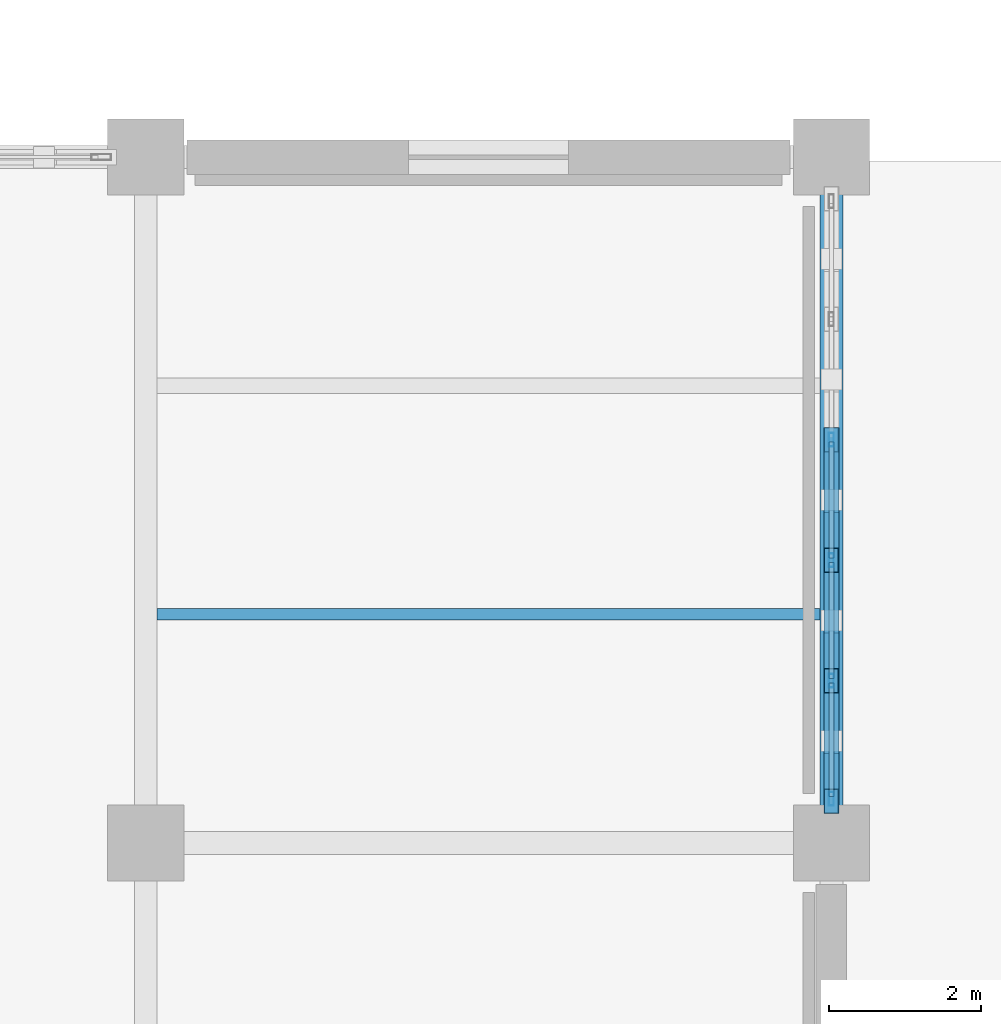
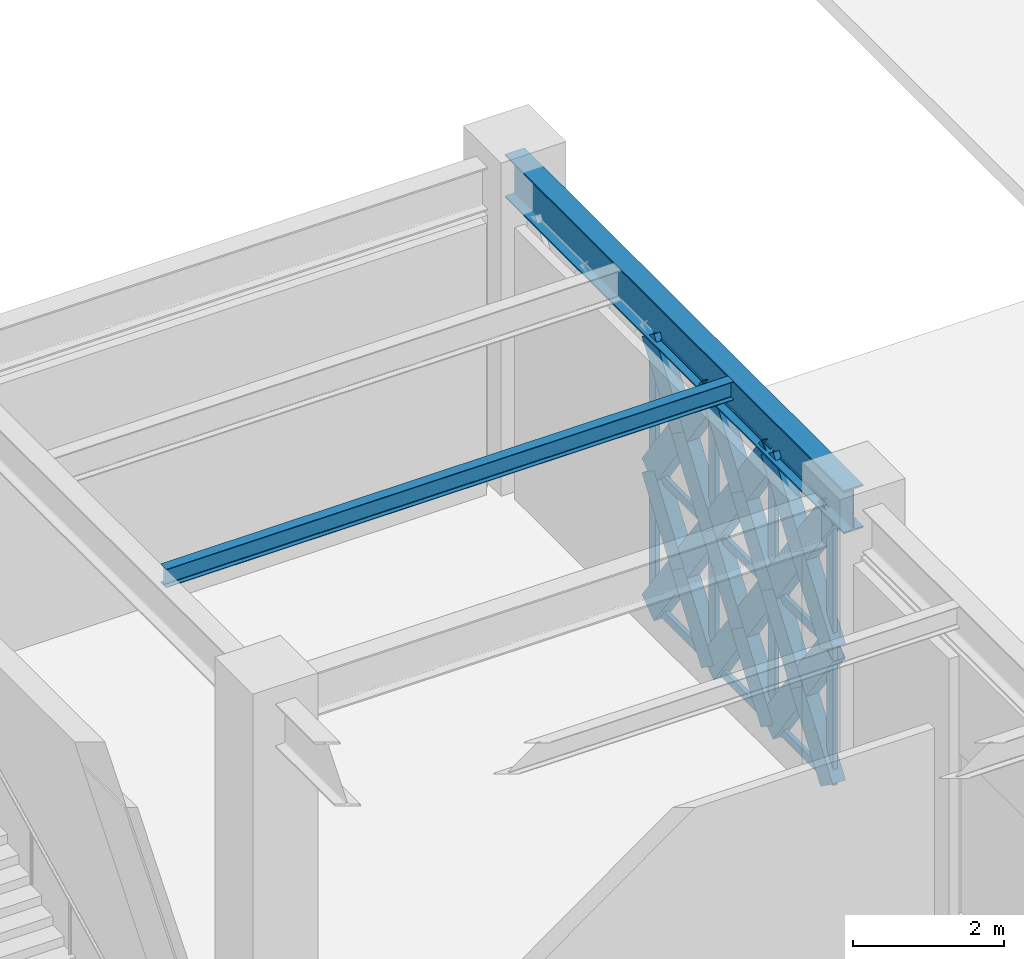
# One storey, part 47 of 140: 31 members, 2 beams, 1 element without a shape of its own.
"""IFC4 building model written with IfcOpenShell, lengths in metres."""

from ifc_helpers import new_model, si_unit, direction, frame, origin, origin_2d, place, context, subcontext, project, spatial, hollow_rectangle, i_section, extrude, material, material_profile, profile_set, type_object, element, aggregate, save


model = new_model("IFC4")

# Units and contexts
model_context = context("Model", 3, precision=1e-05, world=origin(), true_north=direction((0.0, 1.0)))
body_context = subcontext(model_context, "Body", "Model", "MODEL_VIEW")
ifc_project = project(units=[si_unit("LENGTHUNIT", "METRE"), si_unit("AREAUNIT", "SQUARE_METRE"), si_unit("VOLUMEUNIT", "CUBIC_METRE"), si_unit("PLANEANGLEUNIT", "RADIAN"), si_unit("MASSUNIT", "GRAM", prefix="KILO")], contexts=[model_context])

# Site, building, storey
site_placement = place(None, origin())
site = spatial("IfcSite", under=ifc_project, at=site_placement, CompositionType="ELEMENT")
building_placement = place(site_placement, origin())
building = spatial("IfcBuilding", under=site, at=building_placement, Name="Haizhuo Lancet Aquarium", CompositionType="ELEMENT")
storey_placement = place(building_placement, origin())
storey = spatial("IfcBuildingStorey", under=building, at=storey_placement, Name="L00", CompositionType="ELEMENT", Elevation=0.0)

# Beam
ifc_material_1 = material(Name="Steel S355", Category="steel")
ifc_material_profile_1 = material_profile(ifc_material_1, i_section(OverallWidth=0.300048828125, OverallDepth=0.699951171875, WebThickness=0.012939453125, FlangeThickness=0.02392578125, FilletRadius=0.02587890625, at=origin_2d()), Name="HN 700x300x13x24")
ifc_profile_set_1 = profile_set([ifc_material_profile_1], Name="Steel S355")
beam_type_1 = type_object("IfcBeamType", Name="BM-ST-HN700", PredefinedType="BEAM", material=ifc_profile_set_1)
beam_1_placement = place(storey_placement, frame((-36.0, 18.0, 4.77001953125), z_axis=(0.0, 1.0, 0.0), x_axis=(-1.0, 0.0, 0.0)))
element("IfcBeam", 1, at=beam_1_placement, inside=storey, type_object=beam_type_1, Name="L00 V2 primary girder BM-L00-V2-022", PredefinedType="BEAM", context=body_context, shape_type="SweptSolid", body=[
    extrude(i_section(OverallWidth=0.300048828125, OverallDepth=0.699951171875, WebThickness=0.012939453125, FlangeThickness=0.02392578125, FilletRadius=0.02587890625, at=origin_2d()), origin(), (0.0, 0.0, 1.0), 9.0),
])

# Curtain wall, members
ifc_material_2 = material(Name="Aluminium 6063-T6", Category="aluminium")
curtain_wall_type = type_object("IfcCurtainWallType", Name="CWD-7910x4420", PredefinedType="NOTDEFINED", material=ifc_material_2)
curtain_wall_placement = place(storey_placement, origin())
curtain_wall = element("IfcCurtainWall", 2, at=curtain_wall_placement, inside=storey, type_object=curtain_wall_type, Name="L00 curtain wall CW-V2-L00-016", PredefinedType="NOTDEFINED")
ifc_material_profile_2 = material_profile(ifc_material_2, hollow_rectangle(XDim=0.06494140625, YDim=0.179931640625, WallThickness=0.00390625, at=origin_2d()), Name="ALU-M 65x180x4")
ifc_profile_set_2 = profile_set([ifc_material_profile_2], Name="Aluminium 6063-T6")
member_type_1 = type_object("IfcMemberType", Name="CW-MUL-1", PredefinedType="MULLION", material=ifc_profile_set_2)
member_1_placement = place(storey_placement, frame((-36.0, 23.291015625, 0.0), z_axis=(0.0, 0.0, 1.0), x_axis=(1.0, 0.0, 0.0)))
member_1 = element("IfcMember", 3, at=member_1_placement, type_object=member_type_1, Name="CWD-79x44 mullion 3", PredefinedType="MULLION", context=body_context, shape_type="SweptSolid", body=[
    extrude(hollow_rectangle(XDim=0.06494140625, YDim=0.179931640625, WallThickness=0.00390625, at=origin_2d()), origin(), (0.0, 0.0, 1.0), 4.419921875),
])
member_2_placement = place(storey_placement, frame((-36.0, 21.708984375, 0.0), z_axis=(0.0, 0.0, 1.0), x_axis=(1.0, 0.0, 0.0)))
member_2 = element("IfcMember", 4, at=member_2_placement, type_object=member_type_1, Name="CWD-79x44 mullion 4", PredefinedType="MULLION", context=body_context, shape_type="SweptSolid", body=[
    extrude(hollow_rectangle(XDim=0.06494140625, YDim=0.179931640625, WallThickness=0.00390625, at=origin_2d()), origin(), (0.0, 0.0, 1.0), 4.419921875),
])
member_3_placement = place(storey_placement, frame((-36.0, 20.126953125, 0.0), z_axis=(0.0, 0.0, 1.0), x_axis=(1.0, 0.0, 0.0)))
member_3 = element("IfcMember", 5, at=member_3_placement, type_object=member_type_1, Name="CWD-79x44 mullion 5", PredefinedType="MULLION", context=body_context, shape_type="SweptSolid", body=[
    extrude(hollow_rectangle(XDim=0.06494140625, YDim=0.179931640625, WallThickness=0.00390625, at=origin_2d()), origin(), (0.0, 0.0, 1.0), 4.419921875),
])
member_4_placement = place(storey_placement, frame((-36.0, 18.577880859375, 0.0), z_axis=(0.0, 0.0, 1.0), x_axis=(1.0, 0.0, 0.0)))
member_4 = element("IfcMember", 6, at=member_4_placement, type_object=member_type_1, Name="CWD-79x44 mullion 6", PredefinedType="MULLION", context=body_context, shape_type="SweptSolid", body=[
    extrude(hollow_rectangle(XDim=0.06494140625, YDim=0.179931640625, WallThickness=0.00390625, at=origin_2d()), origin(), (0.0, 0.0, 1.0), 4.419921875),
])
ifc_material_profile_3 = material_profile(ifc_material_2, hollow_rectangle(XDim=0.06494140625, YDim=0.139892578125, WallThickness=0.00390625, at=origin_2d()), Name="ALU-T 65x140x4")
ifc_profile_set_3 = profile_set([ifc_material_profile_3], Name="Aluminium 6063-T6")
member_type_2 = type_object("IfcMemberType", Name="CW-TRN-1", PredefinedType="NOTDEFINED", material=ifc_profile_set_3)
member_5_placement = place(storey_placement, frame((-36.0, 23.258056640625, 0.032958984375), z_axis=(0.0, -1.0, 0.0), x_axis=(1.0, 0.0, 0.0)))
member_5 = element("IfcMember", 7, at=member_5_placement, type_object=member_type_2, Name="CWD-79x44 transom 3.1", ObjectType="TRANSOM", PredefinedType="USERDEFINED", context=body_context, shape_type="SweptSolid", body=[
    extrude(hollow_rectangle(XDim=0.06494140625, YDim=0.139892578125, WallThickness=0.00390625, at=origin_2d()), origin(), (0.0, 0.0, 1.0), 1.51708984375),
])
member_6_placement = place(storey_placement, frame((-36.0, 23.258056640625, 2.2099609375), z_axis=(0.0, -1.0, 0.0), x_axis=(1.0, 0.0, 0.0)))
member_6 = element("IfcMember", 8, at=member_6_placement, type_object=member_type_2, Name="CWD-79x44 transom 3.2", ObjectType="TRANSOM", PredefinedType="USERDEFINED", context=body_context, shape_type="SweptSolid", body=[
    extrude(hollow_rectangle(XDim=0.06494140625, YDim=0.139892578125, WallThickness=0.00390625, at=origin_2d()), origin(), (0.0, 0.0, 1.0), 1.51708984375),
])
member_7_placement = place(storey_placement, frame((-36.0, 23.258056640625, 4.387939453125), z_axis=(0.0, -1.0, 0.0), x_axis=(1.0, 0.0, 0.0)))
member_7 = element("IfcMember", 9, at=member_7_placement, type_object=member_type_2, Name="CWD-79x44 transom 3.3", ObjectType="TRANSOM", PredefinedType="USERDEFINED", context=body_context, shape_type="SweptSolid", body=[
    extrude(hollow_rectangle(XDim=0.06494140625, YDim=0.139892578125, WallThickness=0.00390625, at=origin_2d()), origin(), (0.0, 0.0, 1.0), 1.51708984375),
])
member_8_placement = place(storey_placement, frame((-36.0, 21.677001953125, 0.032958984375), z_axis=(0.0, -1.0, 0.0), x_axis=(1.0, 0.0, 0.0)))
member_8 = element("IfcMember", 10, at=member_8_placement, type_object=member_type_2, Name="CWD-79x44 transom 4.1", ObjectType="TRANSOM", PredefinedType="USERDEFINED", context=body_context, shape_type="SweptSolid", body=[
    extrude(hollow_rectangle(XDim=0.06494140625, YDim=0.139892578125, WallThickness=0.00390625, at=origin_2d()), origin(), (0.0, 0.0, 1.0), 1.51708984375),
])
member_9_placement = place(storey_placement, frame((-36.0, 21.677001953125, 2.2099609375), z_axis=(0.0, -1.0, 0.0), x_axis=(1.0, 0.0, 0.0)))
member_9 = element("IfcMember", 11, at=member_9_placement, type_object=member_type_2, Name="CWD-79x44 transom 4.2", ObjectType="TRANSOM", PredefinedType="USERDEFINED", context=body_context, shape_type="SweptSolid", body=[
    extrude(hollow_rectangle(XDim=0.06494140625, YDim=0.139892578125, WallThickness=0.00390625, at=origin_2d()), origin(), (0.0, 0.0, 1.0), 1.51708984375),
])
member_10_placement = place(storey_placement, frame((-36.0, 21.677001953125, 4.387939453125), z_axis=(0.0, -1.0, 0.0), x_axis=(1.0, 0.0, 0.0)))
member_10 = element("IfcMember", 12, at=member_10_placement, type_object=member_type_2, Name="CWD-79x44 transom 4.3", ObjectType="TRANSOM", PredefinedType="USERDEFINED", context=body_context, shape_type="SweptSolid", body=[
    extrude(hollow_rectangle(XDim=0.06494140625, YDim=0.139892578125, WallThickness=0.00390625, at=origin_2d()), origin(), (0.0, 0.0, 1.0), 1.51708984375),
])
member_11_placement = place(storey_placement, frame((-36.0, 20.094970703125, 0.032958984375), z_axis=(0.0, -1.0, 0.0), x_axis=(1.0, 0.0, 0.0)))
member_11 = element("IfcMember", 13, at=member_11_placement, type_object=member_type_2, Name="CWD-79x44 transom 5.1", ObjectType="TRANSOM", PredefinedType="USERDEFINED", context=body_context, shape_type="SweptSolid", body=[
    extrude(hollow_rectangle(XDim=0.06494140625, YDim=0.139892578125, WallThickness=0.00390625, at=origin_2d()), origin(), (0.0, 0.0, 1.0), 1.48486328125),
])
member_12_placement = place(storey_placement, frame((-36.0, 20.094970703125, 2.2099609375), z_axis=(0.0, -1.0, 0.0), x_axis=(1.0, 0.0, 0.0)))
member_12 = element("IfcMember", 14, at=member_12_placement, type_object=member_type_2, Name="CWD-79x44 transom 5.2", ObjectType="TRANSOM", PredefinedType="USERDEFINED", context=body_context, shape_type="SweptSolid", body=[
    extrude(hollow_rectangle(XDim=0.06494140625, YDim=0.139892578125, WallThickness=0.00390625, at=origin_2d()), origin(), (0.0, 0.0, 1.0), 1.48486328125),
])
member_13_placement = place(storey_placement, frame((-36.0, 20.094970703125, 4.387939453125), z_axis=(0.0, -1.0, 0.0), x_axis=(1.0, 0.0, 0.0)))
member_13 = element("IfcMember", 15, at=member_13_placement, type_object=member_type_2, Name="CWD-79x44 transom 5.3", ObjectType="TRANSOM", PredefinedType="USERDEFINED", context=body_context, shape_type="SweptSolid", body=[
    extrude(hollow_rectangle(XDim=0.06494140625, YDim=0.139892578125, WallThickness=0.00390625, at=origin_2d()), origin(), (0.0, 0.0, 1.0), 1.48486328125),
])
aggregate(curtain_wall, [member_1, member_2, member_3, member_4, member_5, member_6, member_7, member_8, member_9, member_10, member_11, member_12, member_13])

# Beam
ifc_material_profile_4 = material_profile(ifc_material_1, i_section(OverallWidth=0.14990234375, OverallDepth=0.300048828125, WebThickness=0.006591796875, FlangeThickness=0.009033203125, FilletRadius=0.012939453125, at=origin_2d()), Name="HN 300x150x6.5x9")
ifc_profile_set_4 = profile_set([ifc_material_profile_4], Name="Steel S355")
beam_type_2 = type_object("IfcBeamType", Name="JST-ST-HN300", PredefinedType="JOIST", material=ifc_profile_set_4)
beam_2_placement = place(storey_placement, frame((-44.85009765625, 21.0, 4.969970703125), z_axis=(1.0, 0.0, 0.0), x_axis=(0.0, 1.0, 0.0)))
element("IfcBeam", 16, at=beam_2_placement, inside=storey, type_object=beam_type_2, Name="L00 V2 secondary floor joist 13", PredefinedType="JOIST", context=body_context, shape_type="SweptSolid", body=[
    extrude(i_section(OverallWidth=0.14990234375, OverallDepth=0.300048828125, WebThickness=0.006591796875, FlangeThickness=0.009033203125, FilletRadius=0.012939453125, at=origin_2d()), origin(), (0.0, 0.0, 1.0), 8.7001953125),
])

# Members
ifc_material_profile_5 = material_profile(ifc_material_1, hollow_rectangle(XDim=0.199951171875, YDim=0.39990234375, WallThickness=0.011962890625, at=origin_2d()), Name="RHS 200x400x12")
ifc_profile_set_5 = profile_set([ifc_material_profile_5], Name="Steel S355")
member_type_3 = type_object("IfcMemberType", Name="MEM-LB-RHS200x400", PredefinedType="BRACE", material=ifc_profile_set_5)
member_14_placement = place(storey_placement, frame((-36.0, 23.291015625, 0.0), z_axis=(0.0, -0.582087604305, 0.813126079347), x_axis=(1.0, 0.0, 0.0)))
element("IfcMember", 17, at=member_14_placement, inside=storey, type_object=member_type_3, Name="Gothic lancet continuous diagonal brace CW-V2-L00-016 5A", PredefinedType="BRACE", context=body_context, shape_type="SweptSolid", body=[
    extrude(hollow_rectangle(XDim=0.199951171875, YDim=0.39990234375, WallThickness=0.011962890625, at=origin_2d()), origin(), (0.0, 0.0, 1.0), 2.7177734375),
])
for number, where, z_axis, x_axis, name in (
    (18, (-36.0, 21.708984375, 0.0), (0.0, 0.582087604305, 0.813126079347), (-1.0, 0.0, 0.0), "Gothic lancet split diagonal brace CW-V2-L00-016 5B1"),
    (19, (-36.0, 22.5, 1.10498046875), (0.0, 0.582087604305, 0.813126079347), (-1.0, 0.0, 0.0), "Gothic lancet split diagonal brace CW-V2-L00-016 5B2"),
):
    element("IfcMember", number, at=place(storey_placement, frame(where, z_axis=z_axis, x_axis=x_axis)), inside=storey, type_object=member_type_3, Name=name, PredefinedType="BRACE", context=body_context, shape_type="SweptSolid", body=[
        extrude(hollow_rectangle(XDim=0.199951171875, YDim=0.39990234375, WallThickness=0.011962890625, at=origin_2d()), origin(), (0.0, 0.0, 1.0), 1.35888671875),
    ])
member_15_placement = place(storey_placement, frame((-36.0, 23.291015625, 2.2099609375), z_axis=(0.0, -0.582087604305, 0.813126079347), x_axis=(1.0, 0.0, 0.0)))
element("IfcMember", 20, at=member_15_placement, inside=storey, type_object=member_type_3, Name="Gothic lancet continuous diagonal brace CW-V2-L00-016 6A", PredefinedType="BRACE", context=body_context, shape_type="SweptSolid", body=[
    extrude(hollow_rectangle(XDim=0.199951171875, YDim=0.39990234375, WallThickness=0.011962890625, at=origin_2d()), origin(), (0.0, 0.0, 1.0), 2.7177734375),
])
for number, where, z_axis, x_axis, name in (
    (21, (-36.0, 21.708984375, 2.2099609375), (0.0, 0.582087604305, 0.813126079347), (-1.0, 0.0, 0.0), "Gothic lancet split diagonal brace CW-V2-L00-016 6B1"),
    (22, (-36.0, 22.5, 3.31494140625), (0.0, 0.582087604305, 0.813126079347), (-1.0, 0.0, 0.0), "Gothic lancet split diagonal brace CW-V2-L00-016 6B2"),
):
    element("IfcMember", number, at=place(storey_placement, frame(where, z_axis=z_axis, x_axis=x_axis)), inside=storey, type_object=member_type_3, Name=name, PredefinedType="BRACE", context=body_context, shape_type="SweptSolid", body=[
        extrude(hollow_rectangle(XDim=0.199951171875, YDim=0.39990234375, WallThickness=0.011962890625, at=origin_2d()), origin(), (0.0, 0.0, 1.0), 1.35888671875),
    ])
member_16_placement = place(storey_placement, frame((-36.0, 21.708984375, 0.0), z_axis=(0.0, -0.582087604305, 0.813126079347), x_axis=(1.0, 0.0, 0.0)))
element("IfcMember", 23, at=member_16_placement, inside=storey, type_object=member_type_3, Name="Gothic lancet continuous diagonal brace CW-V2-L00-016 7A", PredefinedType="BRACE", context=body_context, shape_type="SweptSolid", body=[
    extrude(hollow_rectangle(XDim=0.199951171875, YDim=0.39990234375, WallThickness=0.011962890625, at=origin_2d()), origin(), (0.0, 0.0, 1.0), 2.7177734375),
])
for number, where, z_axis, x_axis, name in (
    (24, (-36.0, 20.126953125, 0.0), (0.0, 0.582087604305, 0.813126079347), (-1.0, 0.0, 0.0), "Gothic lancet split diagonal brace CW-V2-L00-016 7B1"),
    (25, (-36.0, 20.91796875, 1.10498046875), (0.0, 0.582087604305, 0.813126079347), (-1.0, 0.0, 0.0), "Gothic lancet split diagonal brace CW-V2-L00-016 7B2"),
):
    element("IfcMember", number, at=place(storey_placement, frame(where, z_axis=z_axis, x_axis=x_axis)), inside=storey, type_object=member_type_3, Name=name, PredefinedType="BRACE", context=body_context, shape_type="SweptSolid", body=[
        extrude(hollow_rectangle(XDim=0.199951171875, YDim=0.39990234375, WallThickness=0.011962890625, at=origin_2d()), origin(), (0.0, 0.0, 1.0), 1.35888671875),
    ])
member_17_placement = place(storey_placement, frame((-36.0, 21.708984375, 2.2099609375), z_axis=(0.0, -0.582087604305, 0.813126079347), x_axis=(1.0, 0.0, 0.0)))
element("IfcMember", 26, at=member_17_placement, inside=storey, type_object=member_type_3, Name="Gothic lancet continuous diagonal brace CW-V2-L00-016 8A", PredefinedType="BRACE", context=body_context, shape_type="SweptSolid", body=[
    extrude(hollow_rectangle(XDim=0.199951171875, YDim=0.39990234375, WallThickness=0.011962890625, at=origin_2d()), origin(), (0.0, 0.0, 1.0), 2.7177734375),
])
for number, where, z_axis, x_axis, name in (
    (27, (-36.0, 20.126953125, 2.2099609375), (0.0, 0.582087604305, 0.813126079347), (-1.0, 0.0, 0.0), "Gothic lancet split diagonal brace CW-V2-L00-016 8B1"),
    (28, (-36.0, 20.91796875, 3.31494140625), (0.0, 0.582087604305, 0.813126079347), (-1.0, 0.0, 0.0), "Gothic lancet split diagonal brace CW-V2-L00-016 8B2"),
):
    element("IfcMember", number, at=place(storey_placement, frame(where, z_axis=z_axis, x_axis=x_axis)), inside=storey, type_object=member_type_3, Name=name, PredefinedType="BRACE", context=body_context, shape_type="SweptSolid", body=[
        extrude(hollow_rectangle(XDim=0.199951171875, YDim=0.39990234375, WallThickness=0.011962890625, at=origin_2d()), origin(), (0.0, 0.0, 1.0), 1.35888671875),
    ])
member_18_placement = place(storey_placement, frame((-36.0, 20.126953125, 0.0), z_axis=(0.0, -0.582087604305, 0.813126079347), x_axis=(1.0, 0.0, 0.0)))
element("IfcMember", 29, at=member_18_placement, inside=storey, type_object=member_type_3, Name="Gothic lancet continuous diagonal brace CW-V2-L00-016 9A", PredefinedType="BRACE", context=body_context, shape_type="SweptSolid", body=[
    extrude(hollow_rectangle(XDim=0.199951171875, YDim=0.39990234375, WallThickness=0.011962890625, at=origin_2d()), origin(), (0.0, 0.0, 1.0), 2.7177734375),
])
for number, where, z_axis, x_axis, name in (
    (30, (-36.0, 18.544921875, 0.0), (0.0, 0.582087604305, 0.813126079347), (-1.0, 0.0, 0.0), "Gothic lancet split diagonal brace CW-V2-L00-016 9B1"),
    (31, (-36.0, 19.3359375, 1.10498046875), (0.0, 0.582087604305, 0.813126079347), (-1.0, 0.0, 0.0), "Gothic lancet split diagonal brace CW-V2-L00-016 9B2"),
):
    element("IfcMember", number, at=place(storey_placement, frame(where, z_axis=z_axis, x_axis=x_axis)), inside=storey, type_object=member_type_3, Name=name, PredefinedType="BRACE", context=body_context, shape_type="SweptSolid", body=[
        extrude(hollow_rectangle(XDim=0.199951171875, YDim=0.39990234375, WallThickness=0.011962890625, at=origin_2d()), origin(), (0.0, 0.0, 1.0), 1.35888671875),
    ])
member_19_placement = place(storey_placement, frame((-36.0, 20.126953125, 2.2099609375), z_axis=(0.0, -0.582087604305, 0.813126079347), x_axis=(1.0, 0.0, 0.0)))
element("IfcMember", 32, at=member_19_placement, inside=storey, type_object=member_type_3, Name="Gothic lancet continuous diagonal brace CW-V2-L00-016 10A", PredefinedType="BRACE", context=body_context, shape_type="SweptSolid", body=[
    extrude(hollow_rectangle(XDim=0.199951171875, YDim=0.39990234375, WallThickness=0.011962890625, at=origin_2d()), origin(), (0.0, 0.0, 1.0), 2.7177734375),
])
for number, where, z_axis, x_axis, name in (
    (33, (-36.0, 18.544921875, 2.2099609375), (0.0, 0.582087604305, 0.813126079347), (-1.0, 0.0, 0.0), "Gothic lancet split diagonal brace CW-V2-L00-016 10B1"),
    (34, (-36.0, 19.3359375, 3.31494140625), (0.0, 0.582087604305, 0.813126079347), (-1.0, 0.0, 0.0), "Gothic lancet split diagonal brace CW-V2-L00-016 10B2"),
):
    element("IfcMember", number, at=place(storey_placement, frame(where, z_axis=z_axis, x_axis=x_axis)), inside=storey, type_object=member_type_3, Name=name, PredefinedType="BRACE", context=body_context, shape_type="SweptSolid", body=[
        extrude(hollow_rectangle(XDim=0.199951171875, YDim=0.39990234375, WallThickness=0.011962890625, at=origin_2d()), origin(), (0.0, 0.0, 1.0), 1.35888671875),
    ])

save(model, "model.ifc")
